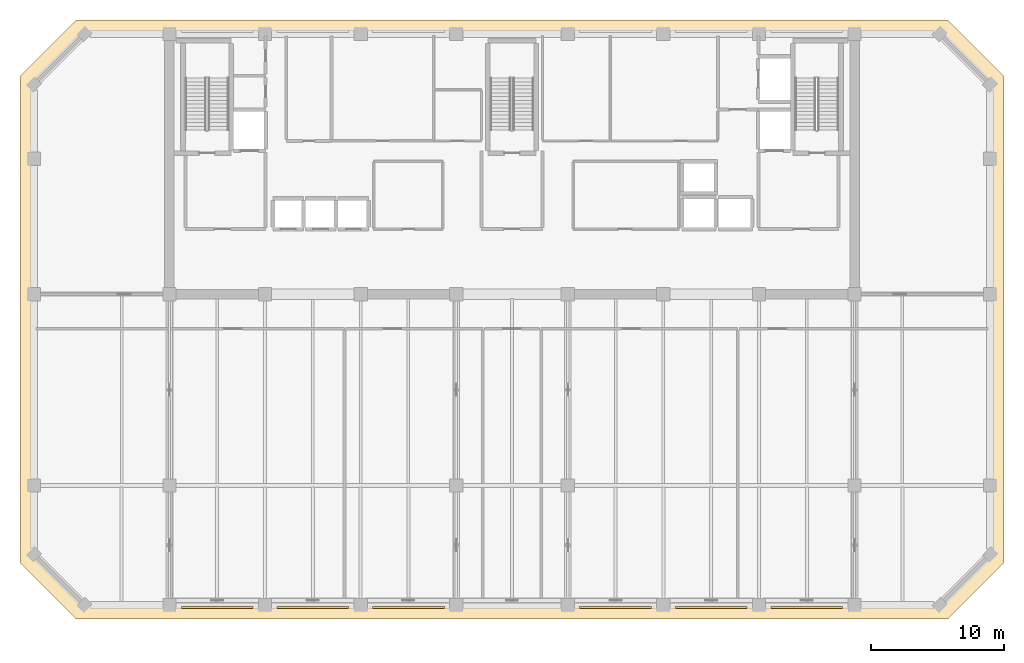
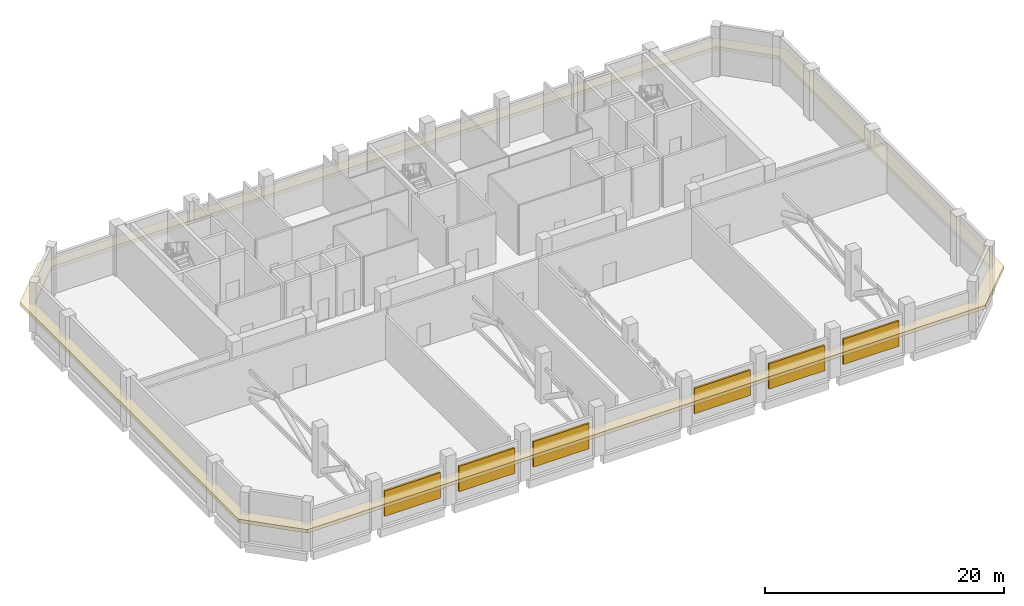
# One storey, part 9 of 11: 6 shading devices, 1 covering.
"""IFC4 building model written with IfcOpenShell, lengths in metres."""

from ifc_helpers import new_model, si_unit, direction, frame, origin, origin_2d, place, context, subcontext, project, spatial, polyline, rectangle, outline, extrude, material, layer, layer_set, type_object, element, save


model = new_model("IFC4")

# Units and contexts
model_context = context("Model", 3, precision=1e-05, world=origin(), true_north=direction((0.0, 1.0)))
body_context = subcontext(model_context, "Body", "Model", "MODEL_VIEW")
ifc_project = project(units=[si_unit("LENGTHUNIT", "METRE"), si_unit("AREAUNIT", "SQUARE_METRE"), si_unit("VOLUMEUNIT", "CUBIC_METRE"), si_unit("PLANEANGLEUNIT", "RADIAN"), si_unit("MASSUNIT", "GRAM", prefix="KILO")], contexts=[model_context])

# Site, building, storey
site_placement = place(None, origin())
site = spatial("IfcSite", under=ifc_project, at=site_placement, CompositionType="ELEMENT")
building_placement = place(site_placement, origin())
building = spatial("IfcBuilding", under=site, at=building_placement, Name="Kaelvorn Grand Hotel", CompositionType="ELEMENT")
storey_placement = place(building_placement, frame((0.0, 0.0, 280.5)))
storey = spatial("IfcBuildingStorey", under=building, at=storey_placement, Name="L69", CompositionType="ELEMENT", Elevation=280.5)

# Covering
ifc_material_1 = material(Name="Precast concrete C45/55", Category="concrete")
ifc_layer = layer(ifc_material_1, 0.260009765625)
ifc_layer_set = layer_set([ifc_layer], Name="Precast concrete C45/55")
covering_type = type_object("IfcCoveringType", Name="COV-BAND-STREAMLINE-HEAD", PredefinedType="CLADDING", material=ifc_layer_set)
covering_placement = place(storey_placement, frame((0.0, 0.0, 2.419921875)))
element("IfcCovering", 1, at=covering_placement, inside=storey, type_object=covering_type, Name="L69 Streamline Moderne Wraparound Horizontal Eyebrow Band", PredefinedType="CLADDING", context=body_context, shape_type="SweptSolid", body=[
    extrude(outline(polyline([(9.18994140625, 4.949951171875), (74.81005859375, 4.949951171875), (79.050048828125, 9.18994140625), (79.050048828125, 45.81005859375), (74.81005859375, 50.050048828125), (9.18994140625, 50.050048828125), (4.949951171875, 45.81005859375), (4.949951171875, 9.18994140625), (9.18994140625, 4.949951171875)]), holes=[polyline([(9.820068359375, 6.030029296875), (74.179931640625, 6.030029296875), (77.969970703125, 9.820068359375), (77.969970703125, 45.179931640625), (74.179931640625, 48.969970703125), (9.820068359375, 48.969970703125), (6.030029296875, 45.179931640625), (6.030029296875, 9.820068359375), (9.820068359375, 6.030029296875)])]), origin(), (0.0, 0.0, 1.0), 0.360107421875),
])

# Shading devices
ifc_material_2 = material(Name="Anodised Aluminium", Category="aluminium")
shading_device_type = type_object("IfcShadingDeviceType", Name="SHD-LOUVRE-PLANT", PredefinedType="USERDEFINED", material=ifc_material_2)
for number, where, z_axis, x_axis, name in (
    (2, (19.800048828125, 5.81005859375, 0.89990234375), (0.0, 0.0, 1.0), (1.0, 0.0, 0.0), "L69 Mechanical Plant Aluminium Louvre Screen S2"),
    (3, (27.0, 5.81005859375, 0.89990234375), (0.0, 0.0, 1.0), (1.0, 0.0, 0.0), "L69 Mechanical Plant Aluminium Louvre Screen S3"),
    (4, (34.199951171875, 5.81005859375, 0.89990234375), (0.0, 0.0, 1.0), (1.0, 0.0, 0.0), "L69 Mechanical Plant Aluminium Louvre Screen S4"),
    (5, (49.800048828125, 5.81005859375, 0.89990234375), (0.0, 0.0, 1.0), (1.0, 0.0, 0.0), "L69 Mechanical Plant Aluminium Louvre Screen S5"),
    (6, (57.0, 5.81005859375, 0.89990234375), (0.0, 0.0, 1.0), (1.0, 0.0, 0.0), "L69 Mechanical Plant Aluminium Louvre Screen S6"),
    (7, (64.199951171875, 5.81005859375, 0.89990234375), (0.0, 0.0, 1.0), (1.0, 0.0, 0.0), "L69 Mechanical Plant Aluminium Louvre Screen S7"),
):
    element("IfcShadingDevice", number, at=place(storey_placement, frame(where, z_axis=z_axis, x_axis=x_axis)), inside=storey, type_object=shading_device_type, Name=name, ObjectType="LOUVRE", PredefinedType="USERDEFINED", context=body_context, shape_type="SweptSolid", body=[
        extrude(rectangle(XDim=5.39990234375, YDim=0.179931640625, at=origin_2d()), origin(), (0.0, 0.0, 1.0), 2.60009765625),
    ])

save(model, "model.ifc")
